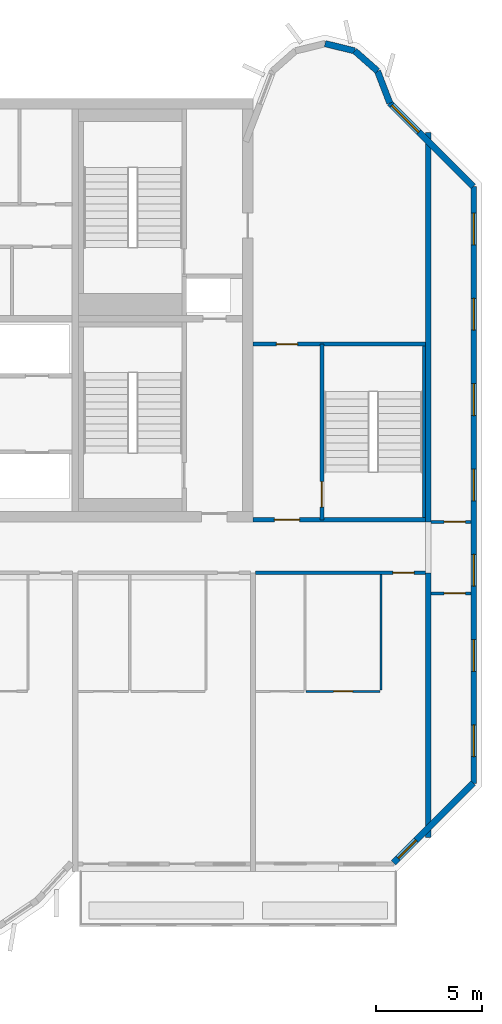
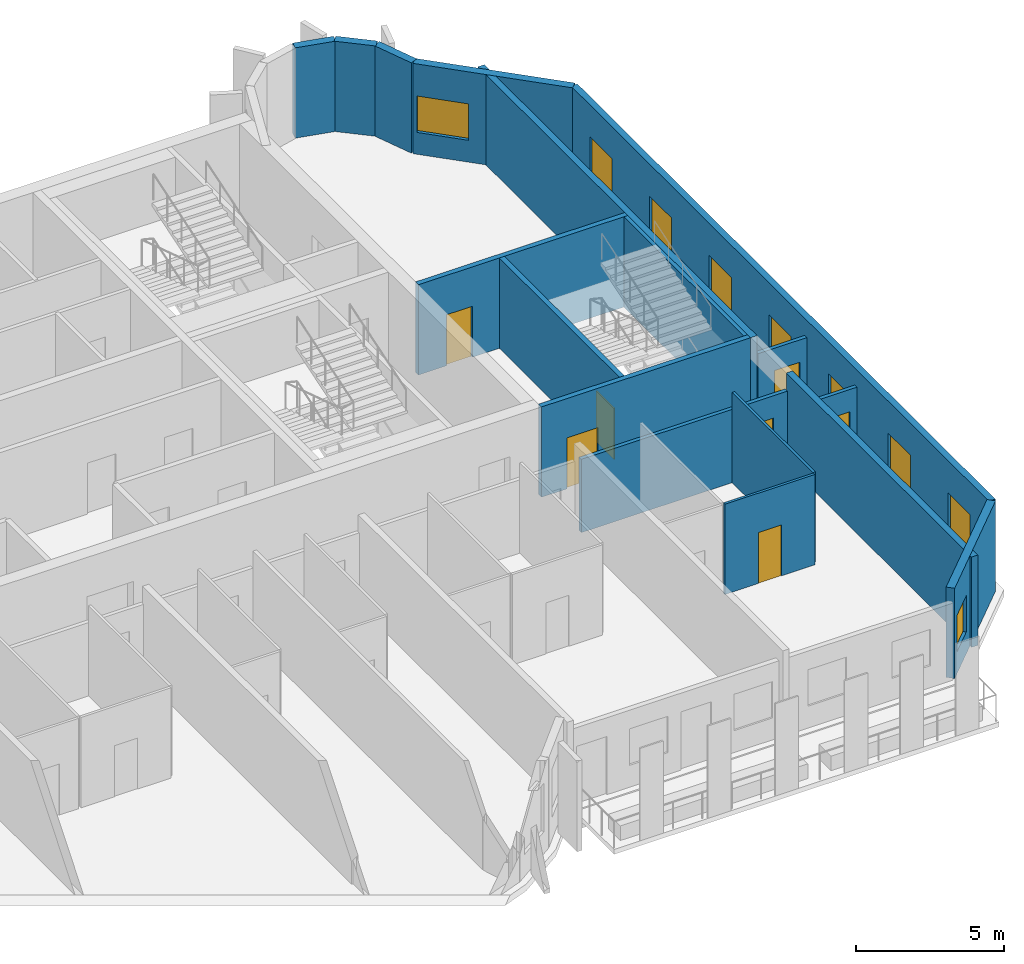
# One storey, part 8 of 12: 17 walls, 9 windows, 7 doors, 16 openings.
"""IFC4 building model written with IfcOpenShell, lengths in metres."""

from ifc_helpers import new_model, si_unit, direction, frame, frame_2d, origin, place, context, subcontext, project, spatial, rectangle, extrude, source, transform, mapped, material, layer, layer_set, type_object, element, fill, save


model = new_model("IFC4")

# Units and contexts
model_context = context("Model", 3, precision=1e-05, world=origin(), true_north=direction((0.0, 1.0)))
body_context = subcontext(model_context, "Body", "Model", "MODEL_VIEW")
ifc_project = project(units=[si_unit("LENGTHUNIT", "METRE"), si_unit("AREAUNIT", "SQUARE_METRE"), si_unit("VOLUMEUNIT", "CUBIC_METRE"), si_unit("PLANEANGLEUNIT", "RADIAN"), si_unit("MASSUNIT", "GRAM", prefix="KILO")], contexts=[model_context])

# Site, building, storey
site_placement = place(None, origin())
site = spatial("IfcSite", under=ifc_project, at=site_placement, CompositionType="ELEMENT")
building_placement = place(site_placement, origin())
building = spatial("IfcBuilding", under=site, at=building_placement, Name="Vanashikhar Sky Hotel", CompositionType="ELEMENT")
storey_placement = place(building_placement, frame((0.0, 0.0, 297.699951171875)))
storey = spatial("IfcBuildingStorey", under=building, at=storey_placement, Name="L71", CompositionType="ELEMENT", Elevation=297.699951171875)

# Walls
ifc_material_1 = material(Name="Concrete M50", Category="concrete")
ifc_layer_1 = layer(ifc_material_1, 0.25)
ifc_layer_set_1 = layer_set([ifc_layer_1], Name="RC shear wall 250 Concrete M50")
wall_type_1 = type_object("IfcWallType", Name="RC shear wall 250 Concrete M50", PredefinedType="SHEAR", material=ifc_layer_set_1)
shared_shape_1 = source(origin(), body_context, "Body", "SweptSolid", [
    extrude(rectangle(XDim=12.5, YDim=0.25, at=frame_2d((6.25, 0.0))), origin(), (0.0, 0.0, 1.0), 3.719970703125),
])
wall_1_placement = place(storey_placement, frame((83.875, 7.10009765625, 0.0), z_axis=(0.0, 0.0, 1.0), x_axis=(0.0, 1.0, 0.0)))
element("IfcWall", 1, at=wall_1_placement, inside=storey, type_object=wall_type_1, Name="CW-L71-XW11-1", PredefinedType="SHEAR", context=body_context, shape_type="MappedRepresentation", body=[
    mapped(shared_shape_1, transform((0.0, 0.0, 0.0), scale=1.0)),
])
shared_shape_2 = source(origin(), body_context, "Body", "SweptSolid", [
    extrude(rectangle(XDim=18.39990234375, YDim=0.25, at=frame_2d((9.199951171875, 0.0))), origin(), (0.0, 0.0, 1.0), 3.719970703125),
])
wall_2_placement = place(storey_placement, frame((83.875, 22.0, 0.0), z_axis=(0.0, 0.0, 1.0), x_axis=(0.0, 1.0, 0.0)))
element("IfcWall", 2, at=wall_2_placement, inside=storey, type_object=wall_type_1, Name="CW-L71-XW11-2", PredefinedType="SHEAR", context=body_context, shape_type="MappedRepresentation", body=[
    mapped(shared_shape_2, transform((0.0, 0.0, 0.0), scale=1.0)),
])

# Wall, opening, window
ifc_layer_2 = layer(ifc_material_1, 0.300048828125)
ifc_layer_set_2 = layer_set([ifc_layer_2], Name="Lobe wall 300")
wall_type_2 = type_object("IfcWallType", Name="Lobe wall 300", PredefinedType="SOLIDWALL", material=ifc_layer_set_2)
shared_shape_3 = source(origin(), body_context, "Body", "SweptSolid", [
    extrude(rectangle(XDim=5.32568359375, YDim=0.300048828125, at=frame_2d((2.662841796875, 0.0))), origin(), (0.0, 0.0, 1.0), 3.719970703125),
])
wall_3_placement = place(storey_placement, frame((82.234375, 5.89990234375, 0.0), z_axis=(0.0, 0.0, 1.0), x_axis=(0.707083859269, 0.707129702361, 0.0)))
wall_3 = element("IfcWall", 3, at=wall_3_placement, inside=storey, type_object=wall_type_2, Name="Corner wall", PredefinedType="SOLIDWALL", context=body_context, shape_type="MappedRepresentation", body=[
    mapped(shared_shape_3, transform((0.0, 0.0, 0.0), scale=1.0)),
])
shared_shape_4 = source(origin(), body_context, "Body", "SweptSolid", [
    extrude(rectangle(XDim=1.199951171875, YDim=1.5, at=frame_2d((0.60009765625, 0.75))), frame((0.0, 0.16015625, 0.0), z_axis=(0.0, -1.0, 0.0), x_axis=(1.0, 0.0, 0.0)), (0.0, 0.0, 1.0), 0.320068359375),
])
opening_1_placement = place(wall_3_placement, frame((0.31005859375, 0.0, 0.89990234375)))
opening_1 = element("IfcOpeningElement", 4, at=opening_1_placement, cuts=wall_3, Name="Opening WN-3", PredefinedType="OPENING", context=body_context, shape_type="MappedRepresentation", body=[
    mapped(shared_shape_4, transform((0.0, 0.0, 0.0), scale=1.0)),
])
ifc_material_2 = material(Name="Glass", Category="glass")
window_type_1 = type_object("IfcWindowType", Name="Corridor end window 1200 x 1500", PartitioningType="SINGLE_PANEL", PredefinedType="WINDOW", material=ifc_material_2)
shared_shape_5 = source(origin(), body_context, "Body", "SweptSolid", [
    extrude(rectangle(XDim=1.199951171875, YDim=1.5, at=frame_2d((0.60009765625, 0.75))), frame((0.0, 0.030029296875, 0.0), z_axis=(0.0, -1.0, 0.0), x_axis=(1.0, 0.0, 0.0)), (0.0, 0.0, 1.0), 0.06005859375),
])
window_1_placement = place(opening_1_placement, origin())
window_1 = element("IfcWindow", 5, at=window_1_placement, inside=storey, type_object=window_type_1, Name="Window WN-3", OverallHeight=1.5, OverallWidth=1.199951171875, PartitioningType="SINGLE_PANEL", PredefinedType="WINDOW", context=body_context, shape_type="MappedRepresentation", body=[
    mapped(shared_shape_5, transform((0.0, 0.0, 0.0), scale=1.0)),
])
fill(opening_1, window_1)

shared_shape_6 = source(origin(), body_context, "Body", "SweptSolid", [
    extrude(rectangle(XDim=5.576416015625, YDim=0.300048828125, at=frame_2d((2.7880859375, 0.0))), origin(), (0.0, 0.0, 1.0), 3.719970703125),
])
wall_4_placement = place(storey_placement, frame((86.0, 37.834228515625, 0.0), z_axis=(0.0, 0.0, 1.0), x_axis=(-0.707106781187, 0.707106781187, 0.0)))
wall_4 = element("IfcWall", 6, at=wall_4_placement, inside=storey, type_object=wall_type_2, Name="Corner wall", PredefinedType="SOLIDWALL", context=body_context, shape_type="MappedRepresentation", body=[
    mapped(shared_shape_6, transform((0.0, 0.0, 0.0), scale=1.0)),
])
shared_shape_7 = source(origin(), body_context, "Body", "SweptSolid", [
    extrude(rectangle(XDim=1.800048828125, YDim=1.5, at=frame_2d((0.89990234375, 0.75))), frame((0.0, 0.16015625, 0.0), z_axis=(0.0, -1.0, 0.0), x_axis=(1.0, 0.0, 0.0)), (0.0, 0.0, 1.0), 0.320068359375),
])
opening_2_placement = place(wall_4_placement, frame((3.640869140625, 0.0, 0.89990234375)))
opening_2 = element("IfcOpeningElement", 7, at=opening_2_placement, cuts=wall_4, Name="Opening WN-4", PredefinedType="OPENING", context=body_context, shape_type="MappedRepresentation", body=[
    mapped(shared_shape_7, transform((0.0, 0.0, 0.0), scale=1.0)),
])
window_type_2 = type_object("IfcWindowType", Name="Corner window 1800 x 1500", PartitioningType="SINGLE_PANEL", PredefinedType="WINDOW", material=ifc_material_2)
shared_shape_8 = source(origin(), body_context, "Body", "SweptSolid", [
    extrude(rectangle(XDim=1.800048828125, YDim=1.5, at=frame_2d((0.89990234375, 0.75))), frame((0.0, 0.030029296875, 0.0), z_axis=(0.0, -1.0, 0.0), x_axis=(1.0, 0.0, 0.0)), (0.0, 0.0, 1.0), 0.06005859375),
])
window_2_placement = place(opening_2_placement, origin())
window_2 = element("IfcWindow", 8, at=window_2_placement, inside=storey, type_object=window_type_2, Name="Window WN-4", OverallHeight=1.5, OverallWidth=1.800048828125, PartitioningType="SINGLE_PANEL", PredefinedType="WINDOW", context=body_context, shape_type="MappedRepresentation", body=[
    mapped(shared_shape_8, transform((0.0, 0.0, 0.0), scale=1.0)),
])
fill(opening_2, window_2)

# Walls
shared_shape_9 = source(origin(), body_context, "Body", "SweptSolid", [
    extrude(rectangle(XDim=1.6220703125, YDim=0.300048828125, at=frame_2d((0.81103515625, 0.0))), origin(), (0.0, 0.0, 1.0), 3.719970703125),
])
wall_5_placement = place(storey_placement, frame((82.056884765625, 41.77734375, 0.0), z_axis=(0.0, 0.0, 1.0), x_axis=(-0.357778527068, 0.933806471154, 0.0)))
element("IfcWall", 9, at=wall_5_placement, inside=storey, type_object=wall_type_2, Name="Lobe wall", PredefinedType="SOLIDWALL", context=body_context, shape_type="MappedRepresentation", body=[
    mapped(shared_shape_9, transform((0.0, 0.0, 0.0), scale=1.0)),
])
shared_shape_10 = source(origin(), body_context, "Body", "SweptSolid", [
    extrude(rectangle(XDim=1.43994140625, YDim=0.300048828125, at=frame_2d((0.719970703125, 0.0))), origin(), (0.0, 0.0, 1.0), 3.719970703125),
])
wall_6_placement = place(storey_placement, frame((81.4765625, 43.2919921875, 0.0), z_axis=(0.0, 0.0, 1.0), x_axis=(-0.74957555648, 0.661918790432, 0.0)))
element("IfcWall", 10, at=wall_6_placement, inside=storey, type_object=wall_type_2, Name="Lobe wall", PredefinedType="SOLIDWALL", context=body_context, shape_type="MappedRepresentation", body=[
    mapped(shared_shape_10, transform((0.0, 0.0, 0.0), scale=1.0)),
])
shared_shape_11 = source(origin(), body_context, "Body", "SweptSolid", [
    extrude(rectangle(XDim=1.438720703125, YDim=0.300048828125, at=frame_2d((0.71923828125, 0.0))), origin(), (0.0, 0.0, 1.0), 3.719970703125),
])
wall_7_placement = place(storey_placement, frame((80.397216796875, 44.2451171875, 0.0), z_axis=(0.0, 0.0, 1.0), x_axis=(-0.971161932466, 0.238420848351, 0.0)))
element("IfcWall", 11, at=wall_7_placement, inside=storey, type_object=wall_type_2, Name="Lobe wall", PredefinedType="SOLIDWALL", context=body_context, shape_type="MappedRepresentation", body=[
    mapped(shared_shape_11, transform((0.0, 0.0, 0.0), scale=1.0)),
])

# Wall, openings, windows
ifc_layer_3 = layer(ifc_material_1, 0.25)
ifc_layer_set_3 = layer_set([ifc_layer_3], Name="Rear and end board-marked wall 250")
wall_type_3 = type_object("IfcWallType", Name="Rear and end board-marked wall 250", PredefinedType="SOLIDWALL", material=ifc_layer_set_3)
shared_shape_12 = source(origin(), body_context, "Body", "SweptSolid", [
    extrude(rectangle(XDim=28.189453125, YDim=0.25, at=frame_2d((14.0947265625, 0.0))), origin(), (0.0, 0.0, 1.0), 3.719970703125),
])
wall_8_placement = place(storey_placement, frame((86.02490234375, 9.6552734375, 0.0), z_axis=(0.0, 0.0, 1.0), x_axis=(0.0, 1.0, 0.0)))
wall_8 = element("IfcWall", 12, at=wall_8_placement, inside=storey, type_object=wall_type_3, Name="End board-marked wall", PredefinedType="SOLIDWALL", context=body_context, shape_type="MappedRepresentation", body=[
    mapped(shared_shape_12, transform((0.0, 0.0, 0.0), scale=1.0)),
])
shared_shape_13 = source(origin(), body_context, "Body", "SweptSolid", [
    extrude(rectangle(XDim=1.5, YDim=1.5, at=frame_2d((0.75, 0.75))), frame((0.0, 0.135009765625, 0.0), z_axis=(0.0, -1.0, 0.0), x_axis=(1.0, 0.0, 0.0)), (0.0, 0.0, 1.0), 0.27001953125),
])
opening_3_placement = place(wall_8_placement, frame((1.263427734375, 0.0, 0.89990234375)))
opening_3 = element("IfcOpeningElement", 13, at=opening_3_placement, cuts=wall_8, Name="Opening WN-1", PredefinedType="OPENING", context=body_context, shape_type="MappedRepresentation", body=[
    mapped(shared_shape_13, transform((0.0, 0.0, 0.0), scale=1.0)),
])
opening_4_placement = place(wall_8_placement, frame((5.29052734375, 0.0, 0.89990234375)))
opening_4 = element("IfcOpeningElement", 14, at=opening_4_placement, cuts=wall_8, Name="Opening WN-1", PredefinedType="OPENING", context=body_context, shape_type="MappedRepresentation", body=[
    mapped(shared_shape_13, transform((0.0, 0.0, 0.0), scale=1.0)),
])
opening_5_placement = place(wall_8_placement, frame((9.317626953125, 0.0, 0.89990234375)))
opening_5 = element("IfcOpeningElement", 15, at=opening_5_placement, cuts=wall_8, Name="Opening WN-1", PredefinedType="OPENING", context=body_context, shape_type="MappedRepresentation", body=[
    mapped(shared_shape_13, transform((0.0, 0.0, 0.0), scale=1.0)),
])
opening_6_placement = place(wall_8_placement, frame((13.3447265625, 0.0, 0.89990234375)))
opening_6 = element("IfcOpeningElement", 16, at=opening_6_placement, cuts=wall_8, Name="Opening WN-1", PredefinedType="OPENING", context=body_context, shape_type="MappedRepresentation", body=[
    mapped(shared_shape_13, transform((0.0, 0.0, 0.0), scale=1.0)),
])
opening_7_placement = place(wall_8_placement, frame((17.371826171875, 0.0, 0.89990234375)))
opening_7 = element("IfcOpeningElement", 17, at=opening_7_placement, cuts=wall_8, Name="Opening WN-1", PredefinedType="OPENING", context=body_context, shape_type="MappedRepresentation", body=[
    mapped(shared_shape_13, transform((0.0, 0.0, 0.0), scale=1.0)),
])
opening_8_placement = place(wall_8_placement, frame((21.398681640625, 0.0, 0.89990234375)))
opening_8 = element("IfcOpeningElement", 18, at=opening_8_placement, cuts=wall_8, Name="Opening WN-1", PredefinedType="OPENING", context=body_context, shape_type="MappedRepresentation", body=[
    mapped(shared_shape_13, transform((0.0, 0.0, 0.0), scale=1.0)),
])
opening_9_placement = place(wall_8_placement, frame((25.42578125, 0.0, 0.89990234375)))
opening_9 = element("IfcOpeningElement", 19, at=opening_9_placement, cuts=wall_8, Name="Opening WN-1", PredefinedType="OPENING", context=body_context, shape_type="MappedRepresentation", body=[
    mapped(shared_shape_13, transform((0.0, 0.0, 0.0), scale=1.0)),
])
window_type_3 = type_object("IfcWindowType", Name="Window 1500 x 1500", PartitioningType="SINGLE_PANEL", PredefinedType="WINDOW", material=ifc_material_2)
shared_shape_14 = source(origin(), body_context, "Body", "SweptSolid", [
    extrude(rectangle(XDim=1.5, YDim=1.5, at=frame_2d((0.75, 0.75))), frame((0.0, 0.030029296875, 0.0), z_axis=(0.0, -1.0, 0.0), x_axis=(1.0, 0.0, 0.0)), (0.0, 0.0, 1.0), 0.06005859375),
])
window_3_placement = place(opening_3_placement, origin())
window_3 = element("IfcWindow", 20, at=window_3_placement, inside=storey, type_object=window_type_3, Name="Window WN-1", OverallHeight=1.5, OverallWidth=1.5, PartitioningType="SINGLE_PANEL", PredefinedType="WINDOW", context=body_context, shape_type="MappedRepresentation", body=[
    mapped(shared_shape_14, transform((0.0, 0.0, 0.0), scale=1.0)),
])
fill(opening_3, window_3)
window_4_placement = place(opening_4_placement, origin())
window_4 = element("IfcWindow", 21, at=window_4_placement, inside=storey, type_object=window_type_3, Name="Window WN-1", OverallHeight=1.5, OverallWidth=1.5, PartitioningType="SINGLE_PANEL", PredefinedType="WINDOW", context=body_context, shape_type="MappedRepresentation", body=[
    mapped(shared_shape_14, transform((0.0, 0.0, 0.0), scale=1.0)),
])
fill(opening_4, window_4)
window_5_placement = place(opening_5_placement, origin())
window_5 = element("IfcWindow", 22, at=window_5_placement, inside=storey, type_object=window_type_3, Name="Window WN-1", OverallHeight=1.5, OverallWidth=1.5, PartitioningType="SINGLE_PANEL", PredefinedType="WINDOW", context=body_context, shape_type="MappedRepresentation", body=[
    mapped(shared_shape_14, transform((0.0, 0.0, 0.0), scale=1.0)),
])
fill(opening_5, window_5)
window_6_placement = place(opening_6_placement, origin())
window_6 = element("IfcWindow", 23, at=window_6_placement, inside=storey, type_object=window_type_3, Name="Window WN-1", OverallHeight=1.5, OverallWidth=1.5, PartitioningType="SINGLE_PANEL", PredefinedType="WINDOW", context=body_context, shape_type="MappedRepresentation", body=[
    mapped(shared_shape_14, transform((0.0, 0.0, 0.0), scale=1.0)),
])
fill(opening_6, window_6)
window_7_placement = place(opening_7_placement, origin())
window_7 = element("IfcWindow", 24, at=window_7_placement, inside=storey, type_object=window_type_3, Name="Window WN-1", OverallHeight=1.5, OverallWidth=1.5, PartitioningType="SINGLE_PANEL", PredefinedType="WINDOW", context=body_context, shape_type="MappedRepresentation", body=[
    mapped(shared_shape_14, transform((0.0, 0.0, 0.0), scale=1.0)),
])
fill(opening_7, window_7)
window_8_placement = place(opening_8_placement, origin())
window_8 = element("IfcWindow", 25, at=window_8_placement, inside=storey, type_object=window_type_3, Name="Window WN-1", OverallHeight=1.5, OverallWidth=1.5, PartitioningType="SINGLE_PANEL", PredefinedType="WINDOW", context=body_context, shape_type="MappedRepresentation", body=[
    mapped(shared_shape_14, transform((0.0, 0.0, 0.0), scale=1.0)),
])
fill(opening_8, window_8)
window_9_placement = place(opening_9_placement, origin())
window_9 = element("IfcWindow", 26, at=window_9_placement, inside=storey, type_object=window_type_3, Name="Window WN-1", OverallHeight=1.5, OverallWidth=1.5, PartitioningType="SINGLE_PANEL", PredefinedType="WINDOW", context=body_context, shape_type="MappedRepresentation", body=[
    mapped(shared_shape_14, transform((0.0, 0.0, 0.0), scale=1.0)),
])
fill(opening_9, window_9)

# Wall, opening, door
ifc_layer_4 = layer(ifc_material_1, 0.199951171875)
ifc_layer_set_4 = layer_set([ifc_layer_4], Name="Stair wall 200")
wall_type_4 = type_object("IfcWallType", Name="Stair wall 200", PredefinedType="SOLIDWALL", material=ifc_layer_set_4)
shared_shape_15 = source(origin(), body_context, "Body", "SweptSolid", [
    extrude(rectangle(XDim=8.2998046875, YDim=0.199951171875, at=frame_2d((4.14990234375, 0.0))), origin(), (0.0, 0.0, 1.0), 3.719970703125),
])
wall_9_placement = place(storey_placement, frame((78.85009765625, 22.10009765625, 0.0), z_axis=(0.0, 0.0, 1.0), x_axis=(0.0, 1.0, 0.0)))
wall_9 = element("IfcWall", 27, at=wall_9_placement, inside=storey, type_object=wall_type_4, Name="Stair wall 200", PredefinedType="SOLIDWALL", context=body_context, shape_type="MappedRepresentation", body=[
    mapped(shared_shape_15, transform((0.0, 0.0, 0.0), scale=1.0)),
])
shared_shape_16 = source(origin(), body_context, "Body", "SweptSolid", [
    extrude(rectangle(XDim=1.199951171875, YDim=2.10009765625, at=frame_2d((0.60009765625, 1.050048828125))), frame((0.0, 0.10986328125, 0.0), z_axis=(0.0, -1.0, 0.0), x_axis=(1.0, 0.0, 0.0)), (0.0, 0.0, 1.0), 0.219970703125),
])
opening_10_placement = place(wall_9_placement, frame((0.60009765625, 0.0, 0.0)))
opening_10 = element("IfcOpeningElement", 28, at=opening_10_placement, cuts=wall_9, Name="Opening DC-1", PredefinedType="OPENING", context=body_context, shape_type="MappedRepresentation", body=[
    mapped(shared_shape_16, transform((0.0, 0.0, 0.0), scale=1.0)),
])
ifc_material_3 = material(Name="Steel", Category="steel")
door_type_1 = type_object("IfcDoorType", Name="Stair door 1200 FD120", OperationType="NOTDEFINED", PredefinedType="DOOR", material=ifc_material_3)
shared_shape_17 = source(origin(), body_context, "Body", "SweptSolid", [
    extrude(rectangle(XDim=1.199951171875, YDim=2.10009765625, at=frame_2d((0.60009765625, 1.050048828125))), frame((0.0, 0.02490234375, 0.0), z_axis=(0.0, -1.0, 0.0), x_axis=(1.0, 0.0, 0.0)), (0.0, 0.0, 1.0), 0.050048828125),
])
door_1_placement = place(opening_10_placement, origin())
door_1 = element("IfcDoor", 29, at=door_1_placement, inside=storey, type_object=door_type_1, Name="Stair door 1200 FD120", OperationType="SINGLE_SWING_RIGHT", OverallHeight=2.10009765625, OverallWidth=1.199951171875, PredefinedType="DOOR", context=body_context, shape_type="MappedRepresentation", body=[
    mapped(shared_shape_17, transform((0.0, 0.0, 0.0), scale=1.0)),
])
fill(opening_10, door_1)

shared_shape_18 = source(origin(), body_context, "Body", "SweptSolid", [
    extrude(rectangle(XDim=8.14990234375, YDim=0.199951171875, at=frame_2d((4.074951171875, 0.0))), origin(), (0.0, 0.0, 1.0), 3.719970703125),
])
wall_10_placement = place(storey_placement, frame((83.75, 22.10009765625, 0.0), z_axis=(0.0, 0.0, 1.0), x_axis=(-1.0, 0.0, 0.0)))
wall_10 = element("IfcWall", 30, at=wall_10_placement, inside=storey, type_object=wall_type_4, Name="Stair wall 200", PredefinedType="SOLIDWALL", context=body_context, shape_type="MappedRepresentation", body=[
    mapped(shared_shape_18, transform((0.0, 0.0, 0.0), scale=1.0)),
])
opening_11_placement = place(wall_10_placement, frame((5.949951171875, 0.0, 0.0)))
opening_11 = element("IfcOpeningElement", 31, at=opening_11_placement, cuts=wall_10, Name="Opening DC-2", PredefinedType="OPENING", context=body_context, shape_type="MappedRepresentation", body=[
    mapped(shared_shape_16, transform((0.0, 0.0, 0.0), scale=1.0)),
])
door_type_2 = type_object("IfcDoorType", Name="Firefighting lobby door 1200 FD120", OperationType="NOTDEFINED", PredefinedType="DOOR", material=ifc_material_3)
door_2_placement = place(opening_11_placement, origin())
door_2 = element("IfcDoor", 32, at=door_2_placement, inside=storey, type_object=door_type_2, Name="Firefighting lobby door 1200 FD120", OperationType="SINGLE_SWING_LEFT", OverallHeight=2.10009765625, OverallWidth=1.199951171875, PredefinedType="DOOR", context=body_context, shape_type="MappedRepresentation", body=[
    mapped(shared_shape_17, transform((0.0, 0.0, 0.0), scale=1.0)),
])
fill(opening_11, door_2)

wall_11_placement = place(storey_placement, frame((83.75, 30.39990234375, 0.0), z_axis=(0.0, 0.0, 1.0), x_axis=(-1.0, 0.0, 0.0)))
wall_11 = element("IfcWall", 33, at=wall_11_placement, inside=storey, type_object=wall_type_4, Name="Stair wall 200", PredefinedType="SOLIDWALL", context=body_context, shape_type="MappedRepresentation", body=[
    mapped(shared_shape_18, transform((0.0, 0.0, 0.0), scale=1.0)),
])
shared_shape_19 = source(origin(), body_context, "Body", "SweptSolid", [
    extrude(rectangle(XDim=1.0, YDim=2.10009765625, at=frame_2d((0.5, 1.050048828125))), frame((0.0, 0.10986328125, 0.0), z_axis=(0.0, -1.0, 0.0), x_axis=(1.0, 0.0, 0.0)), (0.0, 0.0, 1.0), 0.219970703125),
])
opening_12_placement = place(wall_11_placement, frame((6.050048828125, 0.0, 0.0)))
opening_12 = element("IfcOpeningElement", 34, at=opening_12_placement, cuts=wall_11, Name="Opening DC-6", PredefinedType="OPENING", context=body_context, shape_type="MappedRepresentation", body=[
    mapped(shared_shape_19, transform((0.0, 0.0, 0.0), scale=1.0)),
])
door_type_3 = type_object("IfcDoorType", Name="Pocket door 1000 FD60", OperationType="NOTDEFINED", PredefinedType="DOOR", material=ifc_material_3)
shared_shape_20 = source(origin(), body_context, "Body", "SweptSolid", [
    extrude(rectangle(XDim=1.0, YDim=2.10009765625, at=frame_2d((0.5, 1.050048828125))), frame((0.0, 0.02490234375, 0.0), z_axis=(0.0, -1.0, 0.0), x_axis=(1.0, 0.0, 0.0)), (0.0, 0.0, 1.0), 0.050048828125),
])
door_3_placement = place(opening_12_placement, origin())
door_3 = element("IfcDoor", 35, at=door_3_placement, inside=storey, type_object=door_type_3, Name="Pocket door 1000 FD60", OperationType="SINGLE_SWING_LEFT", OverallHeight=2.10009765625, OverallWidth=1.0, PredefinedType="DOOR", context=body_context, shape_type="MappedRepresentation", body=[
    mapped(shared_shape_20, transform((0.0, 0.0, 0.0), scale=1.0)),
])
fill(opening_12, door_3)

# Wall
ifc_layer_5 = layer(ifc_material_1, 0.14990234375)
ifc_layer_set_5 = layer_set([ifc_layer_5], Name="Stair infill wall 150")
wall_type_5 = type_object("IfcWallType", Name="Stair infill wall 150", PredefinedType="SOLIDWALL", material=ifc_layer_set_5)
shared_shape_21 = source(origin(), body_context, "Body", "SweptSolid", [
    extrude(rectangle(XDim=8.10009765625, YDim=0.14990234375, at=frame_2d((4.050048828125, 0.0))), origin(), (0.0, 0.0, 1.0), 3.719970703125),
])
wall_12_placement = place(storey_placement, frame((83.675048828125, 22.199951171875, 0.0), z_axis=(0.0, 0.0, 1.0), x_axis=(0.0, 1.0, 0.0)))
element("IfcWall", 36, at=wall_12_placement, inside=storey, type_object=wall_type_5, Name="Stair infill wall 150", PredefinedType="SOLIDWALL", context=body_context, shape_type="MappedRepresentation", body=[
    mapped(shared_shape_21, transform((0.0, 0.0, 0.0), scale=1.0)),
])

# Wall, opening, door
ifc_material_4 = material(Name="Gypsum plasterboard partition")
ifc_layer_6 = layer(ifc_material_4, 0.10009765625)
ifc_layer_set_6 = layer_set([ifc_layer_6], Name="Wet room partition 100")
wall_type_6 = type_object("IfcWallType", Name="Wet room partition 100", PredefinedType="PARTITIONING", material=ifc_layer_set_6)
shared_shape_22 = source(origin(), body_context, "Body", "SweptSolid", [
    extrude(rectangle(XDim=3.5, YDim=0.10009765625, at=frame_2d((1.75, 0.0))), origin(), (0.0, 0.0, 1.0), 3.719970703125),
])
wall_13_placement = place(storey_placement, frame((78.10009765625, 14.0, 0.0), z_axis=(0.0, 0.0, 1.0), x_axis=(1.0, 0.0, 0.0)))
wall_13 = element("IfcWall", 37, at=wall_13_placement, inside=storey, type_object=wall_type_6, Name="W-L71-PW044", PredefinedType="PARTITIONING", context=body_context, shape_type="MappedRepresentation", body=[
    mapped(shared_shape_22, transform((0.0, 0.0, 0.0), scale=1.0)),
])
shared_shape_23 = source(origin(), body_context, "Body", "SweptSolid", [
    extrude(rectangle(XDim=0.89990234375, YDim=2.10009765625, at=frame_2d((0.449951171875, 1.050048828125))), frame((0.0, 0.06005859375, 0.0), z_axis=(0.0, -1.0, 0.0), x_axis=(1.0, 0.0, 0.0)), (0.0, 0.0, 1.0), 0.1201171875),
])
opening_13_placement = place(wall_13_placement, frame((1.300048828125, 0.0, 0.0)))
opening_13 = element("IfcOpeningElement", 38, at=opening_13_placement, cuts=wall_13, Name="Opening D-02", PredefinedType="OPENING", context=body_context, shape_type="MappedRepresentation", body=[
    mapped(shared_shape_23, transform((0.0, 0.0, 0.0), scale=1.0)),
])
ifc_material_5 = material(Name="Timber door", Category="wood")
door_type_4 = type_object("IfcDoorType", Name="Internal door 900", OperationType="NOTDEFINED", PredefinedType="DOOR", material=ifc_material_5)
shared_shape_24 = source(origin(), body_context, "Body", "SweptSolid", [
    extrude(rectangle(XDim=0.89990234375, YDim=2.10009765625, at=frame_2d((0.449951171875, 1.050048828125))), frame((0.0, 0.02490234375, 0.0), z_axis=(0.0, -1.0, 0.0), x_axis=(1.0, 0.0, 0.0)), (0.0, 0.0, 1.0), 0.050048828125),
])
door_4_placement = place(opening_13_placement, origin())
door_4 = element("IfcDoor", 39, at=door_4_placement, inside=storey, type_object=door_type_4, Name="D-L71-025", OperationType="SINGLE_SWING_RIGHT", OverallHeight=2.10009765625, OverallWidth=0.89990234375, PredefinedType="DOOR", context=body_context, shape_type="MappedRepresentation", body=[
    mapped(shared_shape_24, transform((0.0, 0.0, 0.0), scale=1.0)),
])
fill(opening_13, door_4)

ifc_layer_7 = layer(ifc_material_4, 0.14990234375)
ifc_layer_set_7 = layer_set([ifc_layer_7], Name="Corridor and demising partition 150")
wall_type_7 = type_object("IfcWallType", Name="Corridor and demising partition 150", PredefinedType="PARTITIONING", material=ifc_layer_set_7)
shared_shape_25 = source(origin(), body_context, "Body", "SweptSolid", [
    extrude(rectangle(XDim=8.02490234375, YDim=0.14990234375, at=frame_2d((4.012451171875, 0.0))), origin(), (0.0, 0.0, 1.0), 3.02001953125),
])
wall_14_placement = place(storey_placement, frame((75.72509765625, 19.60009765625, 0.0), z_axis=(0.0, 0.0, 1.0), x_axis=(1.0, 0.0, 0.0)))
wall_14 = element("IfcWall", 40, at=wall_14_placement, inside=storey, type_object=wall_type_7, Name="W-L71-PW046", PredefinedType="PARTITIONING", context=body_context, shape_type="MappedRepresentation", body=[
    mapped(shared_shape_25, transform((0.0, 0.0, 0.0), scale=1.0)),
])
shared_shape_26 = source(origin(), body_context, "Body", "SweptSolid", [
    extrude(rectangle(XDim=1.0, YDim=2.10009765625, at=frame_2d((0.5, 1.050048828125))), frame((0.0, 0.0849609375, 0.0), z_axis=(0.0, -1.0, 0.0), x_axis=(1.0, 0.0, 0.0)), (0.0, 0.0, 1.0), 0.169921875),
])
opening_14_placement = place(wall_14_placement, frame((6.47509765625, 0.0, 0.0)))
opening_14 = element("IfcOpeningElement", 41, at=opening_14_placement, cuts=wall_14, Name="Opening D-01", PredefinedType="OPENING", context=body_context, shape_type="MappedRepresentation", body=[
    mapped(shared_shape_26, transform((0.0, 0.0, 0.0), scale=1.0)),
])
ifc_material_6 = material(Name="Timber fire door", Category="wood")
door_type_5 = type_object("IfcDoorType", Name="Guest entry door 1000 FD30S", OperationType="NOTDEFINED", PredefinedType="DOOR", material=ifc_material_6)
door_5_placement = place(opening_14_placement, origin())
door_5 = element("IfcDoor", 42, at=door_5_placement, inside=storey, type_object=door_type_5, Name="D-L71-027", OperationType="SINGLE_SWING_RIGHT", OverallHeight=2.10009765625, OverallWidth=1.0, PredefinedType="DOOR", context=body_context, shape_type="MappedRepresentation", body=[
    mapped(shared_shape_20, transform((0.0, 0.0, 0.0), scale=1.0)),
])
fill(opening_14, door_5)

shared_shape_27 = source(origin(), body_context, "Body", "SweptSolid", [
    extrude(rectangle(XDim=1.89990234375, YDim=0.14990234375, at=frame_2d((0.949951171875, 0.0))), origin(), (0.0, 0.0, 1.0), 3.02001953125),
])
wall_15_placement = place(storey_placement, frame((84.0, 22.0, 0.0), z_axis=(0.0, 0.0, 1.0), x_axis=(1.0, 0.0, 0.0)))
wall_15 = element("IfcWall", 43, at=wall_15_placement, inside=storey, type_object=wall_type_7, Name="W-L71-PW050", PredefinedType="PARTITIONING", context=body_context, shape_type="MappedRepresentation", body=[
    mapped(shared_shape_27, transform((0.0, 0.0, 0.0), scale=1.0)),
])
opening_15_placement = place(wall_15_placement, frame((0.625, 0.0, 0.0)))
opening_15 = element("IfcOpeningElement", 44, at=opening_15_placement, cuts=wall_15, Name="Opening D-01", PredefinedType="OPENING", context=body_context, shape_type="MappedRepresentation", body=[
    mapped(shared_shape_26, transform((0.0, 0.0, 0.0), scale=1.0)),
])
door_6_placement = place(opening_15_placement, origin())
door_6 = element("IfcDoor", 45, at=door_6_placement, inside=storey, type_object=door_type_5, Name="D-L71-029", OperationType="SINGLE_SWING_RIGHT", OverallHeight=2.10009765625, OverallWidth=1.0, PredefinedType="DOOR", context=body_context, shape_type="MappedRepresentation", body=[
    mapped(shared_shape_20, transform((0.0, 0.0, 0.0), scale=1.0)),
])
fill(opening_15, door_6)

wall_16_placement = place(storey_placement, frame((84.0, 18.6279296875, 0.0), z_axis=(0.0, 0.0, 1.0), x_axis=(1.0, 0.0, 0.0)))
wall_16 = element("IfcWall", 46, at=wall_16_placement, inside=storey, type_object=wall_type_7, Name="W-L71-PW052", PredefinedType="PARTITIONING", context=body_context, shape_type="MappedRepresentation", body=[
    mapped(shared_shape_27, transform((0.0, 0.0, 0.0), scale=1.0)),
])
opening_16_placement = place(wall_16_placement, frame((0.625, 0.0, 0.0)))
opening_16 = element("IfcOpeningElement", 47, at=opening_16_placement, cuts=wall_16, Name="Opening D-01", PredefinedType="OPENING", context=body_context, shape_type="MappedRepresentation", body=[
    mapped(shared_shape_26, transform((0.0, 0.0, 0.0), scale=1.0)),
])
door_7_placement = place(opening_16_placement, origin())
door_7 = element("IfcDoor", 48, at=door_7_placement, inside=storey, type_object=door_type_5, Name="D-L71-031", OperationType="SINGLE_SWING_RIGHT", OverallHeight=2.10009765625, OverallWidth=1.0, PredefinedType="DOOR", context=body_context, shape_type="MappedRepresentation", body=[
    mapped(shared_shape_20, transform((0.0, 0.0, 0.0), scale=1.0)),
])
fill(opening_16, door_7)

# Wall
shared_shape_28 = source(origin(), body_context, "Body", "SweptSolid", [
    extrude(rectangle(XDim=5.449951171875, YDim=0.10009765625, at=frame_2d((2.72509765625, 0.0))), origin(), (0.0, 0.0, 1.0), 3.719970703125),
])
wall_17_placement = place(storey_placement, frame((81.64990234375, 14.074951171875, 0.0), z_axis=(0.0, 0.0, 1.0), x_axis=(0.0, 1.0, 0.0)))
element("IfcWall", 49, at=wall_17_placement, inside=storey, type_object=wall_type_6, Name="W-L71-PW042", PredefinedType="PARTITIONING", context=body_context, shape_type="MappedRepresentation", body=[
    mapped(shared_shape_28, transform((0.0, 0.0, 0.0), scale=1.0)),
])

save(model, "model.ifc")
